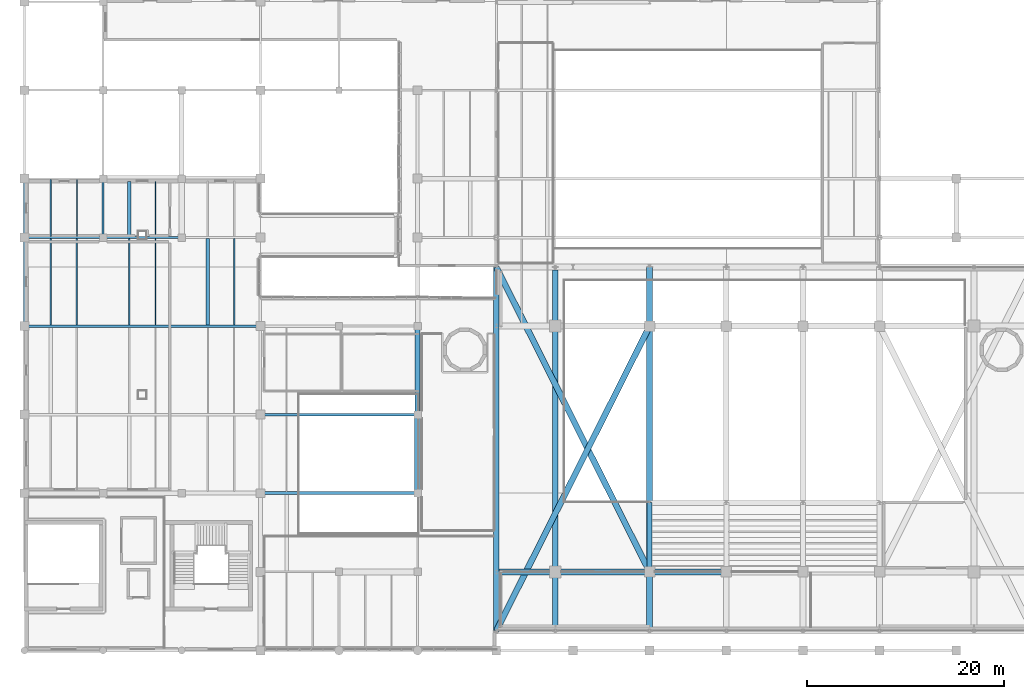
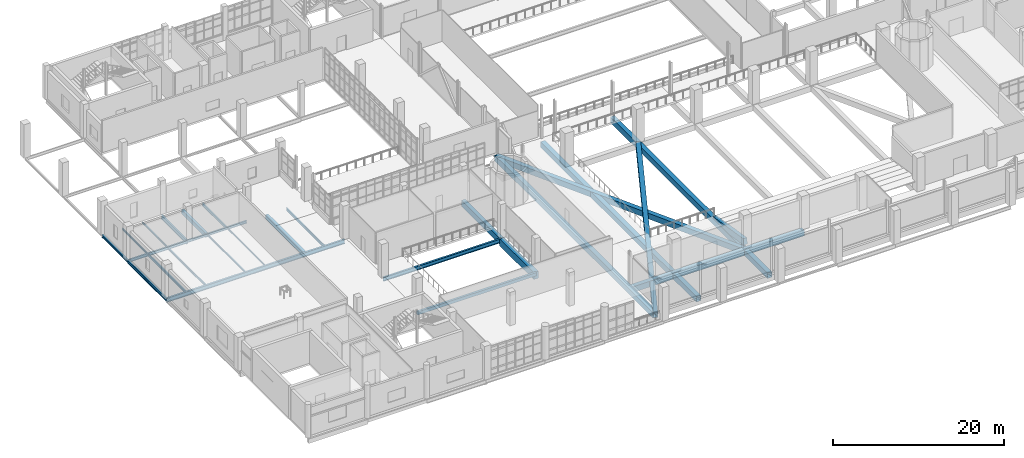
# One storey, part 20 of 100: 26 beams, 1 member.
"""IFC4 building model written with IfcOpenShell, lengths in metres."""

from ifc_helpers import new_model, si_unit, derived_unit, direction, frame, origin, origin_2d, place, context, subcontext, project, spatial, rectangle, hollow_rectangle, i_section, extrude, material, material_profile, profile_set, type_object, element, save


model = new_model("IFC4")

# Units and contexts
model_context = context("Model", 3, precision=1e-05, world=origin(), true_north=direction((0.0, 1.0)))
body_context = subcontext(model_context, "Body", "Model", "MODEL_VIEW")
ifc_project = project(units=[si_unit("LENGTHUNIT", "METRE"), si_unit("AREAUNIT", "SQUARE_METRE"), si_unit("VOLUMEUNIT", "CUBIC_METRE"), si_unit("PLANEANGLEUNIT", "RADIAN"), si_unit("MASSUNIT", "GRAM", prefix="KILO"), derived_unit("THERMALTRANSMITTANCEUNIT", [(si_unit("POWERUNIT", "WATT"), 1), (si_unit("LENGTHUNIT", "METRE"), -2), (si_unit("THERMODYNAMICTEMPERATUREUNIT", "KELVIN"), -1)])], contexts=[model_context])

# Site, building, storey
site_placement = place(None, origin())
site = spatial("IfcSite", under=ifc_project, at=site_placement, CompositionType="ELEMENT")
building_placement = place(site_placement, origin())
building = spatial("IfcBuilding", under=site, at=building_placement, Name="Nallur Shell Playhouse", CompositionType="ELEMENT")
storey_placement = place(building_placement, frame((0.0, 0.0, 10.199951171875)))
storey = spatial("IfcBuildingStorey", under=building, at=storey_placement, Name="L03", CompositionType="ELEMENT", Elevation=10.199951171875)

# Beams
ifc_material_1 = material(Name="Steel E250", Category="steel")
ifc_material_profile_1 = material_profile(ifc_material_1, i_section(OverallWidth=0.110107421875, OverallDepth=0.22509765625, WebThickness=0.006591796875, FlangeThickness=0.01171875, FilletRadius=0.011962890625, at=origin_2d()), Name="ISMB 225")
ifc_profile_set_1 = profile_set([ifc_material_profile_1], Name="Steel E250")
beam_type_1 = type_object("IfcBeamType", Name="BM-JST-ISMB225", PredefinedType="JOIST", material=ifc_profile_set_1)
beam_1_placement = place(storey_placement, frame((21.333251953125, 50.097900390625, -0.37255859375), z_axis=(0.0, 1.0, 0.0), x_axis=(-1.0, 0.0, 0.0)))
element("IfcBeam", 1, at=beam_1_placement, inside=storey, type_object=beam_type_1, Name="L03 secondary joist 2-F-695", PredefinedType="JOIST", context=body_context, shape_type="SweptSolid", body=[
    extrude(i_section(OverallWidth=0.110107421875, OverallDepth=0.22509765625, WebThickness=0.006591796875, FlangeThickness=0.01171875, FilletRadius=0.011962890625, at=origin_2d()), origin(), (0.0, 0.0, 1.0), 5.8291015625),
])
beam_2_placement = place(storey_placement, frame((29.333251953125, 41.123046875, -0.37255859375), z_axis=(0.0, 1.0, 0.0), x_axis=(-1.0, 0.0, 0.0)))
element("IfcBeam", 2, at=beam_2_placement, inside=storey, type_object=beam_type_1, Name="L03 secondary joist 3-E-701", PredefinedType="JOIST", context=body_context, shape_type="SweptSolid", body=[
    extrude(i_section(OverallWidth=0.110107421875, OverallDepth=0.22509765625, WebThickness=0.006591796875, FlangeThickness=0.01171875, FilletRadius=0.011962890625, at=origin_2d()), origin(), (0.0, 0.0, 1.0), 8.779052734375),
])
ifc_material_profile_2 = material_profile(ifc_material_1, i_section(OverallWidth=0.125, OverallDepth=0.25, WebThickness=0.0068359375, FlangeThickness=0.012451171875, FilletRadius=0.012939453125, at=origin_2d()), Name="ISMB 250")
ifc_profile_set_2 = profile_set([ifc_material_profile_2], Name="Steel E250")
beam_type_2 = type_object("IfcBeamType", Name="BM-JST-ISMB250", PredefinedType="JOIST", material=ifc_profile_set_2)
beam_3_placement = place(storey_placement, frame((18.666748046875, 50.097900390625, -0.385009765625), z_axis=(0.0, 1.0, 0.0), x_axis=(-1.0, 0.0, 0.0)))
element("IfcBeam", 3, at=beam_3_placement, inside=storey, type_object=beam_type_2, Name="L03 secondary joist 2-F-694", PredefinedType="JOIST", context=body_context, shape_type="SweptSolid", body=[
    extrude(i_section(OverallWidth=0.125, OverallDepth=0.25, WebThickness=0.0068359375, FlangeThickness=0.012451171875, FilletRadius=0.012939453125, at=origin_2d()), origin(), (0.0, 0.0, 1.0), 5.8291015625),
])
beam_4_placement = place(storey_placement, frame((26.666748046875, 41.123046875, -0.385009765625), z_axis=(0.0, 1.0, 0.0), x_axis=(-1.0, 0.0, 0.0)))
element("IfcBeam", 4, at=beam_4_placement, inside=storey, type_object=beam_type_2, Name="L03 secondary joist 3-E-700", PredefinedType="JOIST", context=body_context, shape_type="SweptSolid", body=[
    extrude(i_section(OverallWidth=0.125, OverallDepth=0.25, WebThickness=0.0068359375, FlangeThickness=0.012451171875, FilletRadius=0.012939453125, at=origin_2d()), origin(), (0.0, 0.0, 1.0), 8.779052734375),
])
ifc_material_profile_3 = material_profile(ifc_material_1, i_section(OverallWidth=0.139892578125, OverallDepth=0.300048828125, WebThickness=0.0078125, FlangeThickness=0.01318359375, FilletRadius=0.013916015625, at=origin_2d()), Name="ISMB 300")
ifc_profile_set_3 = profile_set([ifc_material_profile_3], Name="Steel E250")
beam_type_3 = type_object("IfcBeamType", Name="BM-JST-ISMB300", PredefinedType="JOIST", material=ifc_profile_set_3)
beam_5_placement = place(storey_placement, frame((21.333251953125, 41.123046875, -0.409912109375), z_axis=(0.0, 1.0, 0.0), x_axis=(-1.0, 0.0, 0.0)))
element("IfcBeam", 5, at=beam_5_placement, inside=storey, type_object=beam_type_3, Name="L03 secondary joist 2-E-693", PredefinedType="JOIST", context=body_context, shape_type="SweptSolid", body=[
    extrude(i_section(OverallWidth=0.139892578125, OverallDepth=0.300048828125, WebThickness=0.0078125, FlangeThickness=0.01318359375, FilletRadius=0.013916015625, at=origin_2d()), origin(), (0.0, 0.0, 1.0), 8.779052734375),
])
ifc_material_profile_4 = material_profile(ifc_material_1, i_section(OverallWidth=0.139892578125, OverallDepth=0.35009765625, WebThickness=0.008056640625, FlangeThickness=0.01416015625, FilletRadius=0.013916015625, at=origin_2d()), Name="ISMB 350")
ifc_profile_set_4 = profile_set([ifc_material_profile_4], Name="Steel E250")
beam_type_4 = type_object("IfcBeamType", Name="BM-JST-ISMB350", PredefinedType="JOIST", material=ifc_profile_set_4)
beam_6_placement = place(storey_placement, frame((18.666748046875, 41.123046875, -0.43505859375), z_axis=(0.0, 1.0, 0.0), x_axis=(-1.0, 0.0, 0.0)))
element("IfcBeam", 6, at=beam_6_placement, inside=storey, type_object=beam_type_4, Name="L03 secondary joist 2-E-692", PredefinedType="JOIST", context=body_context, shape_type="SweptSolid", body=[
    extrude(i_section(OverallWidth=0.139892578125, OverallDepth=0.35009765625, WebThickness=0.008056640625, FlangeThickness=0.01416015625, FilletRadius=0.013916015625, at=origin_2d()), origin(), (0.0, 0.0, 1.0), 8.779052734375),
])
ifc_material_profile_5 = material_profile(ifc_material_1, i_section(OverallWidth=0.139892578125, OverallDepth=0.39990234375, WebThickness=0.0087890625, FlangeThickness=0.01611328125, FilletRadius=0.013916015625, at=origin_2d()), Name="ISMB 400")
ifc_profile_set_5 = profile_set([ifc_material_profile_5], Name="Steel E250")
beam_type_5 = type_object("IfcBeamType", Name="BM-JST-ISMB400", PredefinedType="JOIST", material=ifc_profile_set_5)
beam_7_placement = place(storey_placement, frame((29.333251953125, 50.097900390625, -0.4599609375), z_axis=(0.0, 1.0, 0.0), x_axis=(-1.0, 0.0, 0.0)))
element("IfcBeam", 7, at=beam_7_placement, inside=storey, type_object=beam_type_5, Name="L03 secondary joist 3-F-703", PredefinedType="JOIST", context=body_context, shape_type="SweptSolid", body=[
    extrude(i_section(OverallWidth=0.139892578125, OverallDepth=0.39990234375, WebThickness=0.0087890625, FlangeThickness=0.01611328125, FilletRadius=0.013916015625, at=origin_2d()), origin(), (0.0, 0.0, 1.0), 5.60400390625),
])
beam_8_placement = place(storey_placement, frame((37.333251953125, 41.123046875, -0.4599609375), z_axis=(0.0, 1.0, 0.0), x_axis=(-1.0, 0.0, 0.0)))
element("IfcBeam", 8, at=beam_8_placement, inside=storey, type_object=beam_type_5, Name="L03 secondary joist 4-E-709", PredefinedType="JOIST", context=body_context, shape_type="SweptSolid", body=[
    extrude(i_section(OverallWidth=0.139892578125, OverallDepth=0.39990234375, WebThickness=0.0087890625, FlangeThickness=0.01611328125, FilletRadius=0.013916015625, at=origin_2d()), origin(), (0.0, 0.0, 1.0), 8.779052734375),
])
ifc_material_2 = material(Name="Concrete M30", Category="concrete")
ifc_material_profile_6 = material_profile(ifc_material_2, rectangle(XDim=0.35009765625, YDim=0.60009765625, at=origin_2d()), Name="RC 350x600")
ifc_profile_set_6 = profile_set([ifc_material_profile_6], Name="Concrete M30")
beam_type_6 = type_object("IfcBeamType", Name="BM-RC-350x600", PredefinedType="JOIST", material=ifc_profile_set_6)
beam_9_placement = place(storey_placement, frame((26.666748046875, 50.097900390625, -0.56005859375), z_axis=(0.0, 1.0, 0.0), x_axis=(-1.0, 0.0, 0.0)))
element("IfcBeam", 9, at=beam_9_placement, inside=storey, type_object=beam_type_6, Name="L03 secondary joist 3-F-702", PredefinedType="JOIST", context=body_context, shape_type="SweptSolid", body=[
    extrude(rectangle(XDim=0.35009765625, YDim=0.60009765625, at=origin_2d()), origin(), (0.0, 0.0, 1.0), 5.60400390625),
])
beam_10_placement = place(storey_placement, frame((34.666748046875, 41.123046875, -0.56005859375), z_axis=(0.0, 1.0, 0.0), x_axis=(-1.0, 0.0, 0.0)))
element("IfcBeam", 10, at=beam_10_placement, inside=storey, type_object=beam_type_6, Name="L03 secondary joist 4-E-708", PredefinedType="JOIST", context=body_context, shape_type="SweptSolid", body=[
    extrude(rectangle(XDim=0.35009765625, YDim=0.60009765625, at=origin_2d()), origin(), (0.0, 0.0, 1.0), 8.779052734375),
])
ifc_material_3 = material(Name="Concrete M40", Category="concrete")
ifc_material_profile_7 = material_profile(ifc_material_3, rectangle(XDim=0.5, YDim=0.85009765625, at=origin_2d()), Name="RC 500x850")
ifc_profile_set_7 = profile_set([ifc_material_profile_7], Name="Concrete M40")
beam_type_7 = type_object("IfcBeamType", Name="BM-RC-500x850", PredefinedType="BEAM", material=ifc_profile_set_7)
beam_11_placement = place(storey_placement, frame((56.0, 32.0, -0.68505859375), z_axis=(0.0, 1.0, 0.0), x_axis=(-1.0, 0.0, 0.0)))
element("IfcBeam", 11, at=beam_11_placement, inside=storey, type_object=beam_type_7, Name="L03 girder Y-7-653", PredefinedType="BEAM", context=body_context, shape_type="SweptSolid", body=[
    extrude(rectangle(XDim=0.5, YDim=0.85009765625, at=origin_2d()), origin(), (0.0, 0.0, 1.0), 9.0),
])
ifc_material_profile_8 = material_profile(ifc_material_3, rectangle(XDim=0.60009765625, YDim=1.0, at=origin_2d()), Name="RC 600x1000")
ifc_profile_set_8 = profile_set([ifc_material_profile_8], Name="Concrete M40")
beam_type_8 = type_object("IfcBeamType", Name="BM-RC-600x1000", PredefinedType="BEAM", material=ifc_profile_set_8)
beam_12_placement = place(storey_placement, frame((56.0, 24.0, -0.760009765625), z_axis=(0.0, 1.0, 0.0), x_axis=(-1.0, 0.0, 0.0)))
element("IfcBeam", 12, at=beam_12_placement, inside=storey, type_object=beam_type_8, Name="L03 girder Y-7-652", PredefinedType="BEAM", context=body_context, shape_type="SweptSolid", body=[
    extrude(rectangle(XDim=0.60009765625, YDim=1.0, at=origin_2d()), origin(), (0.0, 0.0, 1.0), 8.0),
])
ifc_material_4 = material(Name="Concrete M35", Category="concrete")
ifc_material_profile_9 = material_profile(ifc_material_4, rectangle(XDim=0.300048828125, YDim=0.449951171875, at=origin_2d()), Name="RC 300x450")
ifc_profile_set_9 = profile_set([ifc_material_profile_9], Name="Concrete M35")
beam_type_9 = type_object("IfcBeamType", Name="BM-SPN-300x450", PredefinedType="SPANDREL", material=ifc_profile_set_9)
beam_13_placement = place(storey_placement, frame((40.0, 24.0, -0.48486328125), z_axis=(1.0, 0.0, 0.0), x_axis=(0.0, 1.0, 0.0)))
element("IfcBeam", 13, at=beam_13_placement, inside=storey, type_object=beam_type_9, Name="L03 girder X-C-592", PredefinedType="SPANDREL", context=body_context, shape_type="SweptSolid", body=[
    extrude(rectangle(XDim=0.300048828125, YDim=0.449951171875, at=origin_2d()), origin(), (0.0, 0.0, 1.0), 16.0),
])
ifc_material_5 = material(Name="Steel E350", Category="steel")
ifc_material_profile_10 = material_profile(ifc_material_5, i_section(OverallWidth=0.2099609375, OverallDepth=0.60009765625, WebThickness=0.011962890625, FlangeThickness=0.020751953125, FilletRadius=0.02001953125, at=origin_2d()), Name="ISMB 600")
ifc_profile_set_10 = profile_set([ifc_material_profile_10], Name="Steel E350")
beam_type_10 = type_object("IfcBeamType", Name="BM-ST-ISMB600", PredefinedType="BEAM", material=ifc_profile_set_10)
beam_14_placement = place(storey_placement, frame((24.0, 50.0, -0.56005859375), z_axis=(0.0, 1.0, 0.0), x_axis=(-1.0, 0.0, 0.0)))
element("IfcBeam", 14, at=beam_14_placement, inside=storey, type_object=beam_type_10, Name="L03 girder Y-3-632", PredefinedType="BEAM", context=body_context, shape_type="SweptSolid", body=[
    extrude(i_section(OverallWidth=0.2099609375, OverallDepth=0.60009765625, WebThickness=0.011962890625, FlangeThickness=0.020751953125, FilletRadius=0.02001953125, at=origin_2d()), origin(), (0.0, 0.0, 1.0), 6.0),
])
ifc_material_profile_11 = material_profile(ifc_material_5, i_section(OverallWidth=0.199951171875, OverallDepth=0.35009765625, WebThickness=0.008056640625, FlangeThickness=0.011474609375, FilletRadius=0.011962890625, at=origin_2d()), Name="ISWB 350")
ifc_profile_set_11 = profile_set([ifc_material_profile_11], Name="Steel E350")
beam_type_11 = type_object("IfcBeamType", Name="BM-ST-ISWB350", PredefinedType="BEAM", material=ifc_profile_set_11)
beam_15_placement = place(storey_placement, frame((24.0, 50.0, -0.43505859375), z_axis=(1.0, 0.0, 0.0), x_axis=(0.0, 1.0, 0.0)))
element("IfcBeam", 15, at=beam_15_placement, inside=storey, type_object=beam_type_11, Name="L03 girder X-F-598", PredefinedType="BEAM", context=body_context, shape_type="SweptSolid", body=[
    extrude(i_section(OverallWidth=0.199951171875, OverallDepth=0.35009765625, WebThickness=0.008056640625, FlangeThickness=0.011474609375, FilletRadius=0.011962890625, at=origin_2d()), origin(), (0.0, 0.0, 1.0), 8.0),
])
ifc_material_profile_12 = material_profile(ifc_material_5, i_section(OverallWidth=0.199951171875, OverallDepth=0.39990234375, WebThickness=0.008544921875, FlangeThickness=0.012939453125, FilletRadius=0.012939453125, at=origin_2d()), Name="ISWB 400")
ifc_profile_set_12 = profile_set([ifc_material_profile_12], Name="Steel E350")
beam_type_12 = type_object("IfcBeamType", Name="BM-ST-ISWB400", PredefinedType="BEAM", material=ifc_profile_set_12)
beam_16_placement = place(storey_placement, frame((16.0, 50.0, -0.4599609375), z_axis=(1.0, 0.0, 0.0), x_axis=(0.0, 1.0, 0.0)))
element("IfcBeam", 16, at=beam_16_placement, inside=storey, type_object=beam_type_12, Name="L03 girder X-F-597", PredefinedType="BEAM", context=body_context, shape_type="SweptSolid", body=[
    extrude(i_section(OverallWidth=0.199951171875, OverallDepth=0.39990234375, WebThickness=0.008544921875, FlangeThickness=0.012939453125, FilletRadius=0.012939453125, at=origin_2d()), origin(), (0.0, 0.0, 1.0), 8.0),
])
beam_17_placement = place(storey_placement, frame((16.0, 50.0, -0.4599609375), z_axis=(0.0, 1.0, 0.0), x_axis=(-1.0, 0.0, 0.0)))
element("IfcBeam", 17, at=beam_17_placement, inside=storey, type_object=beam_type_12, Name="L03 girder Y-2-629", PredefinedType="BEAM", context=body_context, shape_type="SweptSolid", body=[
    extrude(i_section(OverallWidth=0.199951171875, OverallDepth=0.39990234375, WebThickness=0.008544921875, FlangeThickness=0.012939453125, FilletRadius=0.012939453125, at=origin_2d()), origin(), (0.0, 0.0, 1.0), 6.0),
])
ifc_material_profile_13 = material_profile(ifc_material_5, i_section(OverallWidth=0.199951171875, OverallDepth=0.449951171875, WebThickness=0.00927734375, FlangeThickness=0.015380859375, FilletRadius=0.013916015625, at=origin_2d()), Name="ISWB 450")
ifc_profile_set_13 = profile_set([ifc_material_profile_13], Name="Steel E350")
beam_type_13 = type_object("IfcBeamType", Name="BM-ST-ISWB450", PredefinedType="BEAM", material=ifc_profile_set_13)
beam_18_placement = place(storey_placement, frame((16.0, 41.0, -0.48486328125), z_axis=(0.0, 1.0, 0.0), x_axis=(-1.0, 0.0, 0.0)))
element("IfcBeam", 18, at=beam_18_placement, inside=storey, type_object=beam_type_13, Name="L03 girder Y-2-628", PredefinedType="BEAM", context=body_context, shape_type="SweptSolid", body=[
    extrude(i_section(OverallWidth=0.199951171875, OverallDepth=0.449951171875, WebThickness=0.00927734375, FlangeThickness=0.015380859375, FilletRadius=0.013916015625, at=origin_2d()), origin(), (0.0, 0.0, 1.0), 9.0),
])
ifc_material_profile_14 = material_profile(ifc_material_5, i_section(OverallWidth=0.25, OverallDepth=0.550048828125, WebThickness=0.010498046875, FlangeThickness=0.017578125, FilletRadius=0.01611328125, at=origin_2d()), Name="ISWB 550")
ifc_profile_set_14 = profile_set([ifc_material_profile_14], Name="Steel E350")
beam_type_14 = type_object("IfcBeamType", Name="BM-ST-ISWB550", PredefinedType="BEAM", material=ifc_profile_set_14)
beam_19_placement = place(storey_placement, frame((40.0, 32.0, -0.534912109375), z_axis=(1.0, 0.0, 0.0), x_axis=(0.0, 1.0, 0.0)))
element("IfcBeam", 19, at=beam_19_placement, inside=storey, type_object=beam_type_14, Name="L03 girder X-D-594", PredefinedType="BEAM", context=body_context, shape_type="SweptSolid", body=[
    extrude(i_section(OverallWidth=0.25, OverallDepth=0.550048828125, WebThickness=0.010498046875, FlangeThickness=0.017578125, FilletRadius=0.01611328125, at=origin_2d()), origin(), (0.0, 0.0, 1.0), 16.0),
])
ifc_material_profile_15 = material_profile(ifc_material_5, i_section(OverallWidth=0.25, OverallDepth=0.60009765625, WebThickness=0.01171875, FlangeThickness=0.023681640625, FilletRadius=0.01708984375, at=origin_2d()), Name="ISWB 600")
ifc_profile_set_15 = profile_set([ifc_material_profile_15], Name="Steel E350")
beam_type_15 = type_object("IfcBeamType", Name="BM-ST-ISWB600", PredefinedType="BEAM", material=ifc_profile_set_15)
beam_20_placement = place(storey_placement, frame((16.0, 41.0, -0.56005859375), z_axis=(1.0, 0.0, 0.0), x_axis=(0.0, 1.0, 0.0)))
element("IfcBeam", 20, at=beam_20_placement, inside=storey, type_object=beam_type_15, Name="L03 long-span hall girder Y=41.0-684", PredefinedType="BEAM", context=body_context, shape_type="SweptSolid", body=[
    extrude(i_section(OverallWidth=0.25, OverallDepth=0.60009765625, WebThickness=0.01171875, FlangeThickness=0.023681640625, FilletRadius=0.01708984375, at=origin_2d()), origin(), (0.0, 0.0, 1.0), 24.0),
])
ifc_material_profile_16 = material_profile(ifc_material_5, hollow_rectangle(XDim=0.60009765625, YDim=0.800048828125, WallThickness=0.02490234375, at=origin_2d()), Name="BOX 600x800x25")
ifc_profile_set_16 = profile_set([ifc_material_profile_16], Name="Steel E350")
beam_type_16 = type_object("IfcBeamType", Name="BM-TT-CHORD", PredefinedType="BEAM", material=ifc_profile_set_16)
beam_21_placement = place(storey_placement, frame((64.298095703125, 16.0, -0.659912109375), z_axis=(1.0, 0.0, 0.0), x_axis=(0.0, 1.0, 0.0)))
element("IfcBeam", 21, at=beam_21_placement, inside=storey, type_object=beam_type_16, Name="Transfer truss TT-1 top chord 1", PredefinedType="BEAM", context=body_context, shape_type="SweptSolid", body=[
    extrude(hollow_rectangle(XDim=0.60009765625, YDim=0.800048828125, WallThickness=0.02490234375, at=origin_2d()), origin(), (0.0, 0.0, 1.0), 23.101806640625),
])
beam_22_placement = place(storey_placement, frame((70.0, 10.298095703125, -0.659912109375), z_axis=(0.0, 1.0, 0.0), x_axis=(-1.0, 0.0, 0.0)))
element("IfcBeam", 22, at=beam_22_placement, inside=storey, type_object=beam_type_16, Name="Transfer truss TT-3 top chord 1", PredefinedType="BEAM", context=body_context, shape_type="SweptSolid", body=[
    extrude(hollow_rectangle(XDim=0.60009765625, YDim=0.800048828125, WallThickness=0.02490234375, at=origin_2d()), origin(), (0.0, 0.0, 1.0), 36.40380859375),
])
beam_23_placement = place(storey_placement, frame((79.60009765625, 10.298095703125, -0.659912109375), z_axis=(0.0, 1.0, 0.0), x_axis=(-1.0, 0.0, 0.0)))
element("IfcBeam", 23, at=beam_23_placement, inside=storey, type_object=beam_type_16, Name="Transfer truss TT-4 top chord 1", PredefinedType="BEAM", context=body_context, shape_type="SweptSolid", body=[
    extrude(hollow_rectangle(XDim=0.60009765625, YDim=0.800048828125, WallThickness=0.02490234375, at=origin_2d()), origin(), (0.0, 0.0, 1.0), 36.701904296875),
])
for number, where, z_axis, x_axis, name in (
    (24, (79.60009765625, 41.0, -0.659912109375), (-0.449519572616, -0.893270481901, 0.0), (0.893270481901, -0.449519572616, 0.0), "Corner transfer TTC-SW top chord"),
    (25, (79.60009765625, 16.0, -0.659912109375), (-0.449519572616, 0.893270481901, 0.0), (-0.893270481901, -0.449519572616, 0.0), "Corner transfer TTC-NW top chord"),
):
    element("IfcBeam", number, at=place(storey_placement, frame(where, z_axis=z_axis, x_axis=x_axis)), inside=storey, type_object=beam_type_16, Name=name, PredefinedType="BEAM", context=body_context, shape_type="SweptSolid", body=[
        extrude(hollow_rectangle(XDim=0.60009765625, YDim=0.800048828125, WallThickness=0.02490234375, at=origin_2d()), origin(), (0.0, 0.0, 1.0), 34.703857421875),
    ])
beam_24_placement = place(storey_placement, frame((64.0, 10.0, -0.659912109375), z_axis=(0.0, 1.0, 0.0), x_axis=(-1.0, 0.0, 0.0)))
element("IfcBeam", 26, at=beam_24_placement, inside=storey, type_object=beam_type_16, Name="Gold box perimeter chord L03-W1", PredefinedType="BEAM", context=body_context, shape_type="SweptSolid", body=[
    extrude(hollow_rectangle(XDim=0.60009765625, YDim=0.800048828125, WallThickness=0.02490234375, at=origin_2d()), origin(), (0.0, 0.0, 1.0), 37.0),
])

# Member
ifc_material_profile_17 = material_profile(ifc_material_3, rectangle(XDim=0.5, YDim=0.85009765625, at=origin_2d()), Name="RC 500x850")
ifc_profile_set_17 = profile_set([ifc_material_profile_17], Name="Concrete M40")
member_type = type_object("IfcMemberType", Name="MB-RAKER-RC", PredefinedType="STRINGER", material=ifc_profile_set_17)
member_placement = place(storey_placement, frame((79.60009765625, 23.0, -0.4150390625), z_axis=(0.0, -0.987875011802, 0.155251283593), x_axis=(1.0, 0.0, 0.0)))
element("IfcMember", 27, at=member_placement, inside=storey, type_object=member_type, Name="Auditorium raker beam DRESS RAKER 1", PredefinedType="STRINGER", context=body_context, shape_type="SweptSolid", body=[
    extrude(rectangle(XDim=0.5, YDim=0.85009765625, at=origin_2d()), origin(), (0.0, 0.0, 1.0), 7.0859375),
])

save(model, "model.ifc")
